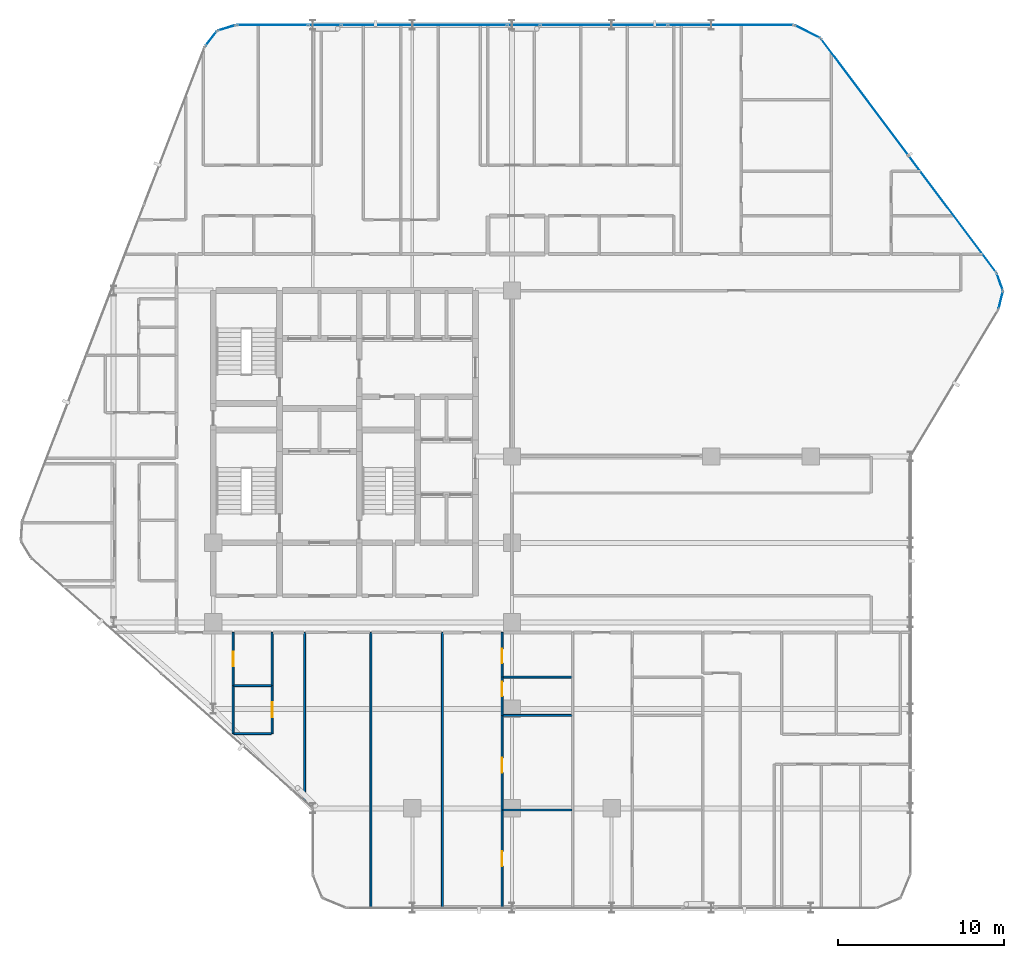
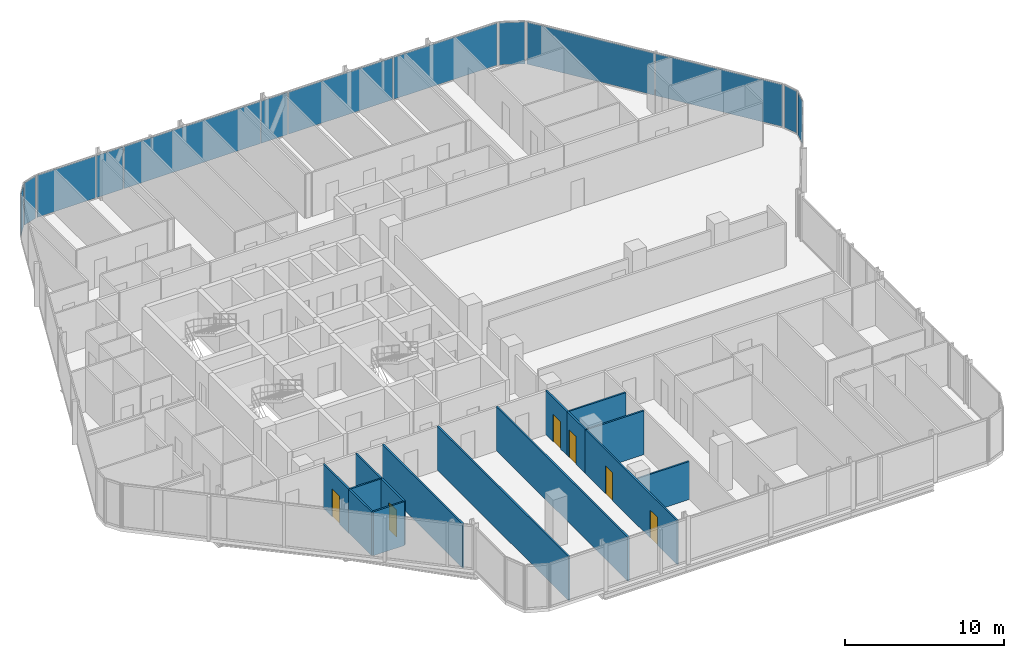
# One storey, part 23 of 30: 15 walls, 13 plates, 6 doors, 6 openings, 11 elements without a shape of their own.
"""IFC4 building model written with IfcOpenShell, lengths in metres."""

import ifcopenshell
import ifcopenshell.guid

model = None  # the IFC model being written
_history = None  # IfcOwnerHistory: only IFC2X3 demands one
_inside = {}  # id of a spatial element -> (the spatial element, [elements in it])
_under = {}  # id of a project, library or spatial element -> (it, [spatial elements below it])
_declared = {}  # id of a project -> (the project, [libraries it declares])
_typed = {}  # id of a type object -> (the type object, [elements of that type])
_made_of = {}  # id of a material, layer set ... -> (it, [elements and type objects made of it])


def new_model(schema):
    """Start an empty IFC model of exactly this schema.

    Asked for "IFC4X3", IfcOpenShell would pick the latest addendum, in which some entities
    have other attributes; the version numbers below select the first issue.
    IFC2X3 requires an IfcOwnerHistory on every rooted entity: one is made here for all.
    """
    global model, _history
    if schema == "IFC4X3":
        model = ifcopenshell.file(schema_version=(4, 3, 0, 0))
    else:
        model = ifcopenshell.file(schema=schema)
    _inside.clear()
    _under.clear()
    _declared.clear()
    _typed.clear()
    _made_of.clear()
    _history = None
    if model.schema == "IFC2X3":
        org = make("IfcOrganization", Name="unknown")
        user = make(
            "IfcPersonAndOrganization",
            ThePerson=make("IfcPerson", FamilyName="unknown"),
            TheOrganization=org,
        )
        app = make(
            "IfcApplication",
            ApplicationDeveloper=org,
            Version="unknown",
            ApplicationFullName="unknown",
            ApplicationIdentifier="unknown",
        )
        _history = make(
            "IfcOwnerHistory",
            OwningUser=user,
            OwningApplication=app,
            ChangeAction="ADDED",
            CreationDate=0,
        )
    return model


def make(cls, **values):
    """One entity of the class cls with the attributes given. An attribute that is None is left unset."""
    return model.create_entity(
        cls, **{name: value for name, value in values.items() if value is not None}
    )


def rooted(cls, **values):
    """An entity with a GlobalId (a new one), such as an element, a storey or a relation."""
    return make(cls, GlobalId=ifcopenshell.guid.new(), OwnerHistory=_history, **values)


def si_unit(unit_type, name, prefix=None):
    """IfcSIUnit, for example si_unit("LENGTHUNIT", "METRE", prefix="MILLI")."""
    return make("IfcSIUnit", UnitType=unit_type, Prefix=prefix, Name=name)


def assignment(units):
    """IfcUnitAssignment: the units of a project."""
    return None if units is None else make("IfcUnitAssignment", Units=units)


def point(xyz):
    """IfcCartesianPoint."""
    return None if xyz is None else make("IfcCartesianPoint", Coordinates=xyz)


def direction(xyz):
    """IfcDirection."""
    return None if xyz is None else make("IfcDirection", DirectionRatios=xyz)


def frame(location, z_axis=None, x_axis=None):
    """IfcAxis2Placement3D, a coordinate frame: its origin and axes. An axis left out is left unset."""
    return make(
        "IfcAxis2Placement3D",
        Location=point(location),
        Axis=direction(z_axis),
        RefDirection=direction(x_axis),
    )


def frame_2d(location, x_axis=None):
    """IfcAxis2Placement2D, a coordinate frame in the plane: its origin and x axis."""
    return make(
        "IfcAxis2Placement2D", Location=point(location), RefDirection=direction(x_axis)
    )


def origin():
    """The frame at (0, 0, 0) with its axes left unset."""
    return frame((0.0, 0.0, 0.0))


def origin_2d():
    """The frame at (0, 0) in the plane with its x axis left unset."""
    return frame_2d((0.0, 0.0))


def place(relative_to, where):
    """IfcLocalPlacement: puts the frame where relative to a parent placement (None: the world)."""
    return make(
        "IfcLocalPlacement", PlacementRelTo=relative_to, RelativePlacement=where
    )


def context(
    kind, dimensions, precision=None, world=None, true_north=None, identifier=None
):
    """IfcGeometricRepresentationContext, for example the 3D "Model" context."""
    return make(
        "IfcGeometricRepresentationContext",
        ContextIdentifier=identifier,
        ContextType=kind,
        CoordinateSpaceDimension=dimensions,
        Precision=precision,
        WorldCoordinateSystem=world,
        TrueNorth=true_north,
    )


def subcontext(parent, identifier, kind, view, scale=None):
    """IfcGeometricRepresentationSubContext, for example "Body" below "Model"."""
    return make(
        "IfcGeometricRepresentationSubContext",
        ContextIdentifier=identifier,
        ContextType=kind,
        ParentContext=parent,
        TargetScale=scale,
        TargetView=view,
    )


def project(units=None, contexts=None):
    """IfcProject with its units and contexts."""
    return rooted(
        "IfcProject",
        Name="project",
        RepresentationContexts=contexts,
        UnitsInContext=assignment(units),
    )


def spatial(cls, under=None, at=None, **own):
    """A site, building, storey or space (cls), placed at a placement, below another one or the project."""
    s = rooted(cls, ObjectPlacement=at, **own)
    if under is not None:
        _under.setdefault(under.id(), (under, []))[1].append(s)
    return s


def profile(cls, at=None, kind="AREA", **sizes):
    """A parametric profile (cls). Its sizes go by their IFC names, for example OverallWidth=200.0."""
    return make(cls, ProfileType=kind, Position=at, **sizes)


def rectangle(**sizes):
    """IfcRectangleProfileDef."""
    return profile("IfcRectangleProfileDef", **sizes)


def extrude(swept, where, along, depth):
    """IfcExtrudedAreaSolid: the profile swept, set in the frame where, extruded along a direction by depth."""
    return make(
        "IfcExtrudedAreaSolid",
        SweptArea=swept,
        Position=where,
        ExtrudedDirection=direction(along),
        Depth=depth,
    )


def shape(context_of_items, identifier, shape_type, items):
    """IfcShapeRepresentation: the items that make up one representation, for example the "Body"."""
    return make(
        "IfcShapeRepresentation",
        ContextOfItems=context_of_items,
        RepresentationIdentifier=identifier,
        RepresentationType=shape_type,
        Items=items,
    )


def material(Name=None, Category=None):
    """IfcMaterial."""
    return make("IfcMaterial", Name=Name, Category=Category)


def layer(
    of_material, thickness, ventilated=None, Name=None, Category=None, Priority=None
):
    """IfcMaterialLayer: one layer of a wall or slab, of a material (None: an air gap)."""
    return make(
        "IfcMaterialLayer",
        Material=of_material,
        LayerThickness=thickness,
        IsVentilated=ventilated,
        Name=Name,
        Category=Category,
        Priority=Priority,
    )


def layer_set(layers, Name=None):
    """IfcMaterialLayerSet."""
    return make("IfcMaterialLayerSet", MaterialLayers=layers, LayerSetName=Name)


def made_of(thing, what):
    """Note that an element or type object is made of a material, layer set ...; save() writes the relation."""
    if what is not None:
        _made_of.setdefault(what.id(), (what, []))[1].append(thing)
    return thing


def type_object(cls, material=None, **own):
    """A type object (cls), such as IfcWallType, which elements share."""
    return made_of(rooted(cls, **own), material)


def element(
    cls,
    number,
    at=None,
    inside=None,
    cuts=None,
    type_object=None,
    material=None,
    context=None,
    identifier="Body",
    shape_type=None,
    held_by="IfcProductDefinitionShape",
    body=None,
    shapes=None,
    **own,
):
    """One element of the class cls, such as IfcWall. Its Tag is "e" and its number.

    at: its placement. inside: the storey or other place that contains it. cuts: it is an
    opening in that element (IfcRelVoidsElement). A single representation is given by context,
    identifier, shape_type and body (its items); several are given by shapes. held_by: the class
    of the entity that holds the representations. save() writes the other relations.
    """
    e = rooted(cls, Tag="e%d" % number, ObjectPlacement=at, **own)
    if body is not None:
        shapes = [shape(context, identifier, shape_type, body)]
    if shapes is not None:
        e.Representation = make(held_by, Representations=shapes)
    if inside is not None:
        _inside.setdefault(inside.id(), (inside, []))[1].append(e)
    if cuts is not None:
        rooted(
            "IfcRelVoidsElement", RelatingBuildingElement=cuts, RelatedOpeningElement=e
        )
    if type_object is not None:
        _typed.setdefault(type_object.id(), (type_object, []))[1].append(e)
    return made_of(e, material)


def fill(opening, filler):
    """IfcRelFillsElement: the door or window that sits in an opening."""
    return rooted(
        "IfcRelFillsElement",
        RelatingOpeningElement=opening,
        RelatedBuildingElement=filler,
    )


def aggregate(whole, parts):
    """IfcRelAggregates: a whole, such as a stair, and the parts it consists of."""
    return rooted("IfcRelAggregates", RelatingObject=whole, RelatedObjects=parts)


def save(model, path):
    """Write the relations noted so far, then the file.

    IfcRelAggregates (storeys below a building ...), IfcRelContainedInSpatialStructure (elements
    in a storey), IfcRelDefinesByType, IfcRelAssociatesMaterial and IfcRelDeclares: one each for
    every whole, place, type object, material and project.
    """
    for whole, parts in _under.values():
        aggregate(whole, parts)
    for where, things in _inside.values():
        rooted(
            "IfcRelContainedInSpatialStructure",
            RelatedElements=things,
            RelatingStructure=where,
        )
    for kind, things in _typed.values():
        rooted("IfcRelDefinesByType", RelatedObjects=things, RelatingType=kind)
    for what, things in _made_of.values():
        rooted("IfcRelAssociatesMaterial", RelatedObjects=things, RelatingMaterial=what)
    for by, libraries in _declared.values():
        rooted("IfcRelDeclares", RelatingContext=by, RelatedDefinitions=libraries)
    model.write(path)


model = new_model("IFC4")

# Units and contexts
model_context = context("Model", 3, precision=1e-05, world=origin(), true_north=direction((0.0, 1.0)))
body_context = subcontext(model_context, "Body", "Model", "MODEL_VIEW")
ifc_project = project(units=[si_unit("LENGTHUNIT", "METRE"), si_unit("AREAUNIT", "SQUARE_METRE"), si_unit("VOLUMEUNIT", "CUBIC_METRE"), si_unit("PLANEANGLEUNIT", "RADIAN"), si_unit("MASSUNIT", "GRAM", prefix="KILO")], contexts=[model_context])

# Site, building, storey
site_placement = place(None, origin())
site = spatial("IfcSite", under=ifc_project, at=site_placement, CompositionType="ELEMENT")
building_placement = place(site_placement, origin())
building = spatial("IfcBuilding", under=site, at=building_placement, Name="Keshet Zoharim Tower", CompositionType="ELEMENT")
storey_placement = place(building_placement, frame((0.0, 0.0, 116.800048828125)))
storey = spatial("IfcBuildingStorey", under=building, at=storey_placement, Name="L28", CompositionType="ELEMENT", Elevation=116.800048828125)

# Curtain wall, plate
ifc_material_1 = material(Name="Aluminium 6063-T6", Category="aluminium")
ifc_layer_1 = layer(ifc_material_1, 0.159912109375)
ifc_layer_set_1 = layer_set([ifc_layer_1], Name="Aluminium 6063-T6")
curtain_wall_type = type_object("IfcCurtainWallType", Name="CW-SYS-03", PredefinedType="NOTDEFINED", material=ifc_layer_set_1)
curtain_wall_1_placement = place(storey_placement, origin())
curtain_wall_1 = element("IfcCurtainWall", 1, at=curtain_wall_1_placement, inside=storey, type_object=curtain_wall_type, Name="L28 Unitised Curtain Wall 11", PredefinedType="NOTDEFINED")
ifc_material_2 = material(Name="Insulated Low-E Clear Glass", Category="glass")
ifc_layer_2 = layer(ifc_material_2, 0.035888671875)
ifc_layer_set_2 = layer_set([ifc_layer_2], Name="Insulated Low-E Clear Glass")
plate_type_1 = type_object("IfcPlateType", Name="CWP-01", PredefinedType="CURTAIN_PANEL", material=ifc_layer_set_2)
plate_1_placement = place(storey_placement, frame((14.8740234375, 53.08349609375, 0.06982421875), z_axis=(0.0, 0.0, 1.0), x_axis=(0.619124525989, 0.785292825205, 0.0)))
plate_1 = element("IfcPlate", 2, at=plate_1_placement, type_object=plate_type_1, Name="CW-03 panel 1.1", PredefinedType="CURTAIN_PANEL", context=body_context, shape_type="SweptSolid", body=[
    extrude(rectangle(XDim=1.045654296875, YDim=0.035888671875, at=origin_2d()), origin(), (0.0, 0.0, 1.0), 3.239990234375),
])
aggregate(curtain_wall_1, [plate_1])

curtain_wall_2_placement = place(storey_placement, origin())
curtain_wall_2 = element("IfcCurtainWall", 3, at=curtain_wall_2_placement, inside=storey, type_object=curtain_wall_type, Name="L28 Unitised Curtain Wall 12", PredefinedType="NOTDEFINED")
plate_2_placement = place(storey_placement, frame((15.8076171875, 53.724609375, 0.06982421875), z_axis=(0.0, 0.0, 1.0), x_axis=(0.955212151288, 0.295921857984, 0.0)))
plate_2 = element("IfcPlate", 4, at=plate_2_placement, type_object=plate_type_1, Name="CW-03 panel 1.1", PredefinedType="CURTAIN_PANEL", context=body_context, shape_type="SweptSolid", body=[
    extrude(rectangle(XDim=1.046142578125, YDim=0.035888671875, at=origin_2d()), origin(), (0.0, 0.0, 1.0), 3.239990234375),
])
aggregate(curtain_wall_2, [plate_2])

curtain_wall_3_placement = place(storey_placement, origin())
curtain_wall_3 = element("IfcCurtainWall", 5, at=curtain_wall_3_placement, inside=storey, type_object=curtain_wall_type, Name="L28 Unitised Curtain Wall 13", PredefinedType="NOTDEFINED")
ifc_layer_3 = layer(ifc_material_2, 0.031982421875)
ifc_layer_set_3 = layer_set([ifc_layer_3], Name="Insulated Low-E Clear Glass")
plate_type_2 = type_object("IfcPlateType", Name="CWP-02", PredefinedType="CURTAIN_PANEL", material=ifc_layer_set_3)
plate_3_placement = place(storey_placement, frame((18.56298828125, 53.89990234375, 0.06982421875), z_axis=(0.0, 0.0, 1.0), x_axis=(1.0, 0.0, 0.0)))
plate_3 = element("IfcPlate", 6, at=plate_3_placement, type_object=plate_type_2, Name="CW-03 panel 1.1", PredefinedType="CURTAIN_PANEL", context=body_context, shape_type="SweptSolid", body=[
    extrude(rectangle(XDim=4.238037109375, YDim=0.031982421875, at=origin_2d()), origin(), (0.0, 0.0, 1.0), 3.239990234375),
])
aggregate(curtain_wall_3, [plate_3])

curtain_wall_4_placement = place(storey_placement, origin())
curtain_wall_4 = element("IfcCurtainWall", 7, at=curtain_wall_4_placement, inside=storey, type_object=curtain_wall_type, Name="L28 Unitised Curtain Wall 13 Part 3", PredefinedType="NOTDEFINED")
plate_4_placement = place(storey_placement, frame((27.715087890625, 53.89990234375, 0.06982421875), z_axis=(0.0, 0.0, 1.0), x_axis=(1.0, 0.0, 0.0)))
plate_4 = element("IfcPlate", 8, at=plate_4_placement, type_object=plate_type_2, Name="CW-03 panel 1.1", PredefinedType="CURTAIN_PANEL", context=body_context, shape_type="SweptSolid", body=[
    extrude(rectangle(XDim=9.93408203125, YDim=0.031982421875, at=origin_2d()), origin(), (0.0, 0.0, 1.0), 3.239990234375),
])
aggregate(curtain_wall_4, [plate_4])

# Curtain wall, plates
curtain_wall_5_placement = place(storey_placement, origin())
curtain_wall_5 = element("IfcCurtainWall", 9, at=curtain_wall_5_placement, inside=storey, type_object=curtain_wall_type, Name="L28 Unitised Curtain Wall 13 Part 5", PredefinedType="NOTDEFINED")
plate_5_placement = place(storey_placement, frame((38.54345703125, 53.89990234375, 0.06982421875), z_axis=(0.0, 0.0, 1.0), x_axis=(1.0, 0.0, 0.0)))
plate_5 = element("IfcPlate", 10, at=plate_5_placement, type_object=plate_type_2, Name="CW-03 panel 1.1", PredefinedType="CURTAIN_PANEL", context=body_context, shape_type="SweptSolid", body=[
    extrude(rectangle(XDim=7.591064453125, YDim=0.031982421875, at=origin_2d()), origin(), (0.0, 0.0, 1.0), 3.239990234375),
])
plate_6_placement = place(storey_placement, frame((46.16943359375, 53.89990234375, 0.06982421875), z_axis=(0.0, 0.0, 1.0), x_axis=(1.0, 0.0, 0.0)))
plate_6 = element("IfcPlate", 11, at=plate_6_placement, type_object=plate_type_2, Name="CW-03 panel 2.1", PredefinedType="CURTAIN_PANEL", context=body_context, shape_type="SweptSolid", body=[
    extrude(rectangle(XDim=7.52099609375, YDim=0.031982421875, at=origin_2d()), origin(), (0.0, 0.0, 1.0), 3.239990234375),
])
aggregate(curtain_wall_5, [plate_5, plate_6])

# Curtain wall, plate
curtain_wall_6_placement = place(storey_placement, origin())
curtain_wall_6 = element("IfcCurtainWall", 12, at=curtain_wall_6_placement, inside=storey, type_object=curtain_wall_type, Name="L28 Unitised Curtain Wall 14", PredefinedType="NOTDEFINED")
plate_7_placement = place(storey_placement, frame((50.800048828125, 53.5, 0.06982421875), z_axis=(0.0, 0.0, 1.0), x_axis=(0.894427191001, -0.447213595499, 0.0)))
plate_7 = element("IfcPlate", 13, at=plate_7_placement, type_object=plate_type_2, Name="CW-03 panel 1.1", PredefinedType="CURTAIN_PANEL", context=body_context, shape_type="SweptSolid", body=[
    extrude(rectangle(XDim=1.64892578125, YDim=0.031982421875, at=origin_2d()), origin(), (0.0, 0.0, 1.0), 3.239990234375),
])
aggregate(curtain_wall_6, [plate_7])

# Curtain wall, plates
curtain_wall_7_placement = place(storey_placement, origin())
curtain_wall_7 = element("IfcCurtainWall", 14, at=curtain_wall_7_placement, inside=storey, type_object=curtain_wall_type, Name="L28 Unitised Curtain Wall 15", PredefinedType="NOTDEFINED")
plate_8_placement = place(storey_placement, frame((54.2587890625, 49.554931640625, 0.06982421875), z_axis=(0.0, 0.0, 1.0), x_axis=(0.600000000002, -0.799999999998, 0.0)))
plate_8 = element("IfcPlate", 15, at=plate_8_placement, type_object=plate_type_2, Name="CW-03 panel 1.1", PredefinedType="CURTAIN_PANEL", context=body_context, shape_type="SweptSolid", body=[
    extrude(rectangle(XDim=8.722412109375, YDim=0.031982421875, at=origin_2d()), origin(), (0.0, 0.0, 1.0), 3.239990234375),
])
plate_9_placement = place(storey_placement, frame((59.5341796875, 42.52099609375, 0.06982421875), z_axis=(0.0, 0.0, 1.0), x_axis=(0.600000000002, -0.799999999998, 0.0)))
plate_9 = element("IfcPlate", 16, at=plate_9_placement, type_object=plate_type_2, Name="CW-03 panel 2.1", PredefinedType="CURTAIN_PANEL", context=body_context, shape_type="SweptSolid", body=[
    extrude(rectangle(XDim=8.722412109375, YDim=0.031982421875, at=origin_2d()), origin(), (0.0, 0.0, 1.0), 3.239990234375),
])
aggregate(curtain_wall_7, [plate_8, plate_9])

# Curtain wall, plate
curtain_wall_8_placement = place(storey_placement, origin())
curtain_wall_8 = element("IfcCurtainWall", 17, at=curtain_wall_8_placement, inside=storey, type_object=curtain_wall_type, Name="L28 Unitised Curtain Wall 16", PredefinedType="NOTDEFINED")
plate_10_placement = place(storey_placement, frame((62.3916015625, 38.427490234375, 0.06982421875), z_axis=(0.0, 0.0, 1.0), x_axis=(0.340297354046, -0.940317877544, 0.0)))
plate_10 = element("IfcPlate", 18, at=plate_10_placement, type_object=plate_type_2, Name="CW-03 panel 1.1", PredefinedType="CURTAIN_PANEL", context=body_context, shape_type="SweptSolid", body=[
    extrude(rectangle(XDim=1.026611328125, YDim=0.031982421875, at=origin_2d()), origin(), (0.0, 0.0, 1.0), 3.239990234375),
])
aggregate(curtain_wall_8, [plate_10])

curtain_wall_9_placement = place(storey_placement, origin())
curtain_wall_9 = element("IfcCurtainWall", 19, at=curtain_wall_9_placement, inside=storey, type_object=curtain_wall_type, Name="L28 Unitised Curtain Wall 17", PredefinedType="NOTDEFINED")
plate_11_placement = place(storey_placement, frame((62.448974609375, 37.31298828125, 0.06982421875), z_axis=(0.0, 0.0, 1.0), x_axis=(-0.241728770141, -0.970343857447, 0.0)))
plate_11 = element("IfcPlate", 20, at=plate_11_placement, type_object=plate_type_2, Name="CW-03 panel 1.1", PredefinedType="CURTAIN_PANEL", context=body_context, shape_type="SweptSolid", body=[
    extrude(rectangle(XDim=1.026611328125, YDim=0.031982421875, at=origin_2d()), origin(), (0.0, 0.0, 1.0), 3.239990234375),
])
aggregate(curtain_wall_9, [plate_11])

curtain_wall_10_placement = place(storey_placement, origin())
curtain_wall_10 = element("IfcCurtainWall", 21, at=curtain_wall_10_placement, inside=storey, type_object=curtain_wall_type, Name="L28 Unitised Curtain Wall 13 Part 2", PredefinedType="NOTDEFINED")
ifc_material_3 = material(Name="Insulated Aluminium Spandrel Panel", Category="aluminium")
ifc_layer_4 = layer(ifc_material_3, 0.031982421875)
ifc_layer_set_4 = layer_set([ifc_layer_4], Name="Insulated Aluminium Spandrel Panel")
plate_type_3 = type_object("IfcPlateType", Name="CWP-05", PredefinedType="CURTAIN_PANEL", material=ifc_layer_set_4)
plate_12_placement = place(storey_placement, frame((21.715087890625, 53.89990234375, 0.06982421875), z_axis=(0.0, 0.0, 1.0), x_axis=(1.0, 0.0, 0.0)))
plate_12 = element("IfcPlate", 22, at=plate_12_placement, type_object=plate_type_3, Name="CW-03 spandrel panel 1.1", PredefinedType="CURTAIN_PANEL", context=body_context, shape_type="SweptSolid", body=[
    extrude(rectangle(XDim=1.926025390625, YDim=0.031982421875, at=origin_2d()), origin(), (0.0, 0.0, 1.0), 3.239990234375),
])
aggregate(curtain_wall_10, [plate_12])

curtain_wall_11_placement = place(storey_placement, origin())
curtain_wall_11 = element("IfcCurtainWall", 23, at=curtain_wall_11_placement, inside=storey, type_object=curtain_wall_type, Name="L28 Unitised Curtain Wall 13 Part 4", PredefinedType="NOTDEFINED")
plate_13_placement = place(storey_placement, frame((33.715087890625, 53.89990234375, 0.06982421875), z_axis=(0.0, 0.0, 1.0), x_axis=(1.0, 0.0, 0.0)))
plate_13 = element("IfcPlate", 24, at=plate_13_placement, type_object=plate_type_3, Name="CW-03 spandrel panel 1.1", PredefinedType="CURTAIN_PANEL", context=body_context, shape_type="SweptSolid", body=[
    extrude(rectangle(XDim=1.926025390625, YDim=0.031982421875, at=origin_2d()), origin(), (0.0, 0.0, 1.0), 3.239990234375),
])
aggregate(curtain_wall_11, [plate_13])

# Wall, opening, door
ifc_material_4 = material(Name="Gypsum Plasterboard", Category="gypsum")
ifc_layer_5 = layer(ifc_material_4, 0.1201171875)
ifc_layer_set_5 = layer_set([ifc_layer_5], Name="Gypsum Plasterboard")
wall_type_1 = type_object("IfcWallType", Name="WL-PART-120", PredefinedType="PARTITIONING", material=ifc_layer_set_5)
wall_1_placement = place(storey_placement, frame((16.199951171875, 14.10009765625, 0.0), z_axis=(0.0, 0.0, 1.0), x_axis=(0.0, 1.0, 0.0)))
wall_1 = element("IfcWall", 25, at=wall_1_placement, inside=storey, type_object=wall_type_1, Name="L28 Interior Wall 024", PredefinedType="PARTITIONING", context=body_context, shape_type="SweptSolid", body=[
    extrude(rectangle(XDim=3.199951171875, YDim=0.1201171875, at=frame_2d((1.60009765625, 0.0))), origin(), (0.0, 0.0, 1.0), 3.3798828125),
])
opening_1_placement = place(wall_1_placement, frame((1.14990234375, 0.0, 0.0)))
opening_1 = element("IfcOpeningElement", 26, at=opening_1_placement, cuts=wall_1, Name="Opening D-IN90", PredefinedType="OPENING", context=body_context, shape_type="SweptSolid", body=[
    extrude(rectangle(XDim=0.89990234375, YDim=2.14990234375, at=frame_2d((0.449951171875, 1.074951171875))), frame((0.0, 0.070068359375, 0.0), z_axis=(0.0, -1.0, 0.0), x_axis=(1.0, 0.0, 0.0)), (0.0, 0.0, 1.0), 0.14013671875),
])
ifc_material_5 = material(Name="Hardwood Timber", Category="wood")
door_type_1 = type_object("IfcDoorType", Name="DR-INT-090", OperationType="NOTDEFINED", PredefinedType="DOOR", material=ifc_material_5)
door_1_placement = place(opening_1_placement, origin())
door_1 = element("IfcDoor", 27, at=door_1_placement, inside=storey, type_object=door_type_1, Name="Apartment 2801 Kitchenette Door", OperationType="SINGLE_SWING_RIGHT", OverallHeight=2.14990234375, OverallWidth=0.89990234375, PredefinedType="DOOR", context=body_context, shape_type="SweptSolid", body=[
    extrude(rectangle(XDim=0.89990234375, YDim=2.14990234375, at=frame_2d((0.449951171875, 1.074951171875))), frame((0.0, 0.02490234375, 0.0), z_axis=(0.0, -1.0, 0.0), x_axis=(1.0, 0.0, 0.0)), (0.0, 0.0, 1.0), 0.050048828125),
])
fill(opening_1, door_1)

# Walls
wall_2_placement = place(storey_placement, frame((18.550048828125, 14.10009765625, 0.0), z_axis=(0.0, 0.0, 1.0), x_axis=(0.0, 1.0, 0.0)))
element("IfcWall", 28, at=wall_2_placement, inside=storey, type_object=wall_type_1, Name="L28 Interior Wall 028", PredefinedType="PARTITIONING", context=body_context, shape_type="SweptSolid", body=[
    extrude(rectangle(XDim=3.199951171875, YDim=0.1201171875, at=frame_2d((1.60009765625, 0.0))), origin(), (0.0, 0.0, 1.0), 3.3798828125),
])
wall_3_placement = place(storey_placement, frame((20.5, 7.154052734375, 0.0), z_axis=(0.0, 0.0, 1.0), x_axis=(0.0, 1.0, 0.0)))
element("IfcWall", 29, at=wall_3_placement, inside=storey, type_object=wall_type_1, Name="L28 Interior Wall 034", PredefinedType="PARTITIONING", context=body_context, shape_type="SweptSolid", body=[
    extrude(rectangle(XDim=10.14599609375, YDim=0.1201171875, at=frame_2d((5.072998046875, 0.0))), origin(), (0.0, 0.0, 1.0), 3.3798828125),
])
for number, where, z_axis, x_axis, name in (
    (30, (24.5, 0.7099609375, 0.0), (0.0, 0.0, 1.0), (0.0, 1.0, 0.0), "L28 Interior Wall 048"),
    (31, (28.800048828125, 0.7099609375, 0.0), (0.0, 0.0, 1.0), (0.0, 1.0, 0.0), "L28 Interior Wall 059"),
):
    element("IfcWall", number, at=place(storey_placement, frame(where, z_axis=z_axis, x_axis=x_axis)), inside=storey, type_object=wall_type_1, Name=name, PredefinedType="PARTITIONING", context=body_context, shape_type="SweptSolid", body=[
        extrude(rectangle(XDim=16.590087890625, YDim=0.1201171875, at=frame_2d((8.294921875, 0.0))), origin(), (0.0, 0.0, 1.0), 3.3798828125),
    ])

# Wall, openings, doors
wall_4_placement = place(storey_placement, frame((32.39990234375, 0.7099609375, 0.0), z_axis=(0.0, 0.0, 1.0), x_axis=(0.0, 1.0, 0.0)))
wall_4 = element("IfcWall", 32, at=wall_4_placement, inside=storey, type_object=wall_type_1, Name="L28 Interior Wall 072", PredefinedType="PARTITIONING", context=body_context, shape_type="SweptSolid", body=[
    extrude(rectangle(XDim=11.590087890625, YDim=0.1201171875, at=frame_2d((5.794921875, 0.0))), origin(), (0.0, 0.0, 1.0), 3.3798828125),
])
opening_2_placement = place(wall_4_placement, frame((2.489990234375, 0.0, 0.0)))
opening_2 = element("IfcOpeningElement", 33, at=opening_2_placement, cuts=wall_4, Name="Opening D-IN90", PredefinedType="OPENING", context=body_context, shape_type="SweptSolid", body=[
    extrude(rectangle(XDim=0.89990234375, YDim=2.14990234375, at=frame_2d((0.449951171875, 1.074951171875))), frame((0.0, 0.070068359375, 0.0), z_axis=(0.0, -1.0, 0.0), x_axis=(1.0, 0.0, 0.0)), (0.0, 0.0, 1.0), 0.14013671875),
])
opening_3_placement = place(wall_4_placement, frame((8.133056640625, 0.0, 0.0)))
opening_3 = element("IfcOpeningElement", 34, at=opening_3_placement, cuts=wall_4, Name="Opening D-IN90", PredefinedType="OPENING", context=body_context, shape_type="SweptSolid", body=[
    extrude(rectangle(XDim=0.89990234375, YDim=2.14990234375, at=frame_2d((0.449951171875, 1.074951171875))), frame((0.0, 0.070068359375, 0.0), z_axis=(0.0, -1.0, 0.0), x_axis=(1.0, 0.0, 0.0)), (0.0, 0.0, 1.0), 0.14013671875),
])
door_2_placement = place(opening_2_placement, origin())
door_2 = element("IfcDoor", 35, at=door_2_placement, inside=storey, type_object=door_type_1, Name="Apartment 2802 Bedroom 1 Door", OperationType="SINGLE_SWING_RIGHT", OverallHeight=2.14990234375, OverallWidth=0.89990234375, PredefinedType="DOOR", context=body_context, shape_type="SweptSolid", body=[
    extrude(rectangle(XDim=0.89990234375, YDim=2.14990234375, at=frame_2d((0.449951171875, 1.074951171875))), frame((0.0, 0.02490234375, 0.0), z_axis=(0.0, -1.0, 0.0), x_axis=(1.0, 0.0, 0.0)), (0.0, 0.0, 1.0), 0.050048828125),
])
fill(opening_2, door_2)
door_3_placement = place(opening_3_placement, origin())
door_3 = element("IfcDoor", 36, at=door_3_placement, inside=storey, type_object=door_type_1, Name="Apartment 2802 Bedroom 2 Door", OperationType="SINGLE_SWING_LEFT", OverallHeight=2.14990234375, OverallWidth=0.89990234375, PredefinedType="DOOR", context=body_context, shape_type="SweptSolid", body=[
    extrude(rectangle(XDim=0.89990234375, YDim=2.14990234375, at=frame_2d((0.449951171875, 1.074951171875))), frame((0.0, 0.02490234375, 0.0), z_axis=(0.0, -1.0, 0.0), x_axis=(1.0, 0.0, 0.0)), (0.0, 0.0, 1.0), 0.050048828125),
])
fill(opening_3, door_3)

# Wall, opening, door
wall_5_placement = place(storey_placement, frame((32.39990234375, 12.300048828125, 0.0), z_axis=(0.0, 0.0, 1.0), x_axis=(0.0, 1.0, 0.0)))
wall_5 = element("IfcWall", 37, at=wall_5_placement, inside=storey, type_object=wall_type_1, Name="L28 Interior Wall 073", PredefinedType="PARTITIONING", context=body_context, shape_type="SweptSolid", body=[
    extrude(rectangle(XDim=2.300048828125, YDim=0.1201171875, at=frame_2d((1.14990234375, 0.0))), origin(), (0.0, 0.0, 1.0), 3.3798828125),
])
opening_4_placement = place(wall_5_placement, frame((1.14208984375, 0.0, 0.0)))
opening_4 = element("IfcOpeningElement", 38, at=opening_4_placement, cuts=wall_5, Name="Opening D-IN90", PredefinedType="OPENING", context=body_context, shape_type="SweptSolid", body=[
    extrude(rectangle(XDim=0.89990234375, YDim=2.14990234375, at=frame_2d((0.449951171875, 1.074951171875))), frame((0.0, 0.070068359375, 0.0), z_axis=(0.0, -1.0, 0.0), x_axis=(1.0, 0.0, 0.0)), (0.0, 0.0, 1.0), 0.14013671875),
])
door_4_placement = place(opening_4_placement, origin())
door_4 = element("IfcDoor", 39, at=door_4_placement, inside=storey, type_object=door_type_1, Name="Apartment 2802 Kitchen Door", OperationType="SINGLE_SWING_RIGHT", OverallHeight=2.14990234375, OverallWidth=0.89990234375, PredefinedType="DOOR", context=body_context, shape_type="SweptSolid", body=[
    extrude(rectangle(XDim=0.89990234375, YDim=2.14990234375, at=frame_2d((0.449951171875, 1.074951171875))), frame((0.0, 0.02490234375, 0.0), z_axis=(0.0, -1.0, 0.0), x_axis=(1.0, 0.0, 0.0)), (0.0, 0.0, 1.0), 0.050048828125),
])
fill(opening_4, door_4)

# Walls
wall_6_placement = place(storey_placement, frame((32.445068359375, 6.60009765625, 0.0), z_axis=(0.0, 0.0, 1.0), x_axis=(1.0, 0.0, 0.0)))
element("IfcWall", 40, at=wall_6_placement, inside=storey, type_object=wall_type_1, Name="L28 Interior Wall 113", PredefinedType="PARTITIONING", context=body_context, shape_type="SweptSolid", body=[
    extrude(rectangle(XDim=4.159912109375, YDim=0.1201171875, at=frame_2d((2.080078125, 0.0))), origin(), (0.0, 0.0, 1.0), 2.929931640625),
])
wall_7_placement = place(storey_placement, frame((32.445068359375, 12.300048828125, 0.0), z_axis=(0.0, 0.0, 1.0), x_axis=(1.0, 0.0, 0.0)))
element("IfcWall", 41, at=wall_7_placement, inside=storey, type_object=wall_type_1, Name="L28 Interior Wall 120", PredefinedType="PARTITIONING", context=body_context, shape_type="SweptSolid", body=[
    extrude(rectangle(XDim=4.159912109375, YDim=0.1201171875, at=frame_2d((2.080078125, 0.0))), origin(), (0.0, 0.0, 1.0), 3.3798828125),
])
ifc_layer_6 = layer(ifc_material_4, 0.1201171875)
ifc_layer_set_6 = layer_set([ifc_layer_6], Name="Gypsum Plasterboard")
wall_type_2 = type_object("IfcWallType", Name="WL-WET-120", PredefinedType="PARTITIONING", material=ifc_layer_set_6)
wall_8_placement = place(storey_placement, frame((16.199951171875, 11.199951171875, 0.0), z_axis=(0.0, 0.0, 1.0), x_axis=(0.0, 1.0, 0.0)))
element("IfcWall", 42, at=wall_8_placement, inside=storey, type_object=wall_type_2, Name="L28 Interior Wall 023", PredefinedType="PARTITIONING", context=body_context, shape_type="SweptSolid", body=[
    extrude(rectangle(XDim=2.900146484375, YDim=0.1201171875, at=frame_2d((1.4501953125, 0.0))), origin(), (0.0, 0.0, 1.0), 3.3798828125),
])

# Wall, opening, door
wall_9_placement = place(storey_placement, frame((18.550048828125, 11.199951171875, 0.0), z_axis=(0.0, 0.0, 1.0), x_axis=(0.0, 1.0, 0.0)))
wall_9 = element("IfcWall", 43, at=wall_9_placement, inside=storey, type_object=wall_type_2, Name="L28 Interior Wall 027", PredefinedType="PARTITIONING", context=body_context, shape_type="SweptSolid", body=[
    extrude(rectangle(XDim=2.900146484375, YDim=0.1201171875, at=frame_2d((1.4501953125, 0.0))), origin(), (0.0, 0.0, 1.0), 3.3798828125),
])
opening_5_placement = place(wall_9_placement, frame((1.0, 0.0, 0.0)))
opening_5 = element("IfcOpeningElement", 44, at=opening_5_placement, cuts=wall_9, Name="Opening D-WT90", PredefinedType="OPENING", context=body_context, shape_type="SweptSolid", body=[
    extrude(rectangle(XDim=0.89990234375, YDim=2.10009765625, at=frame_2d((0.449951171875, 1.050048828125))), frame((0.0, 0.070068359375, 0.0), z_axis=(0.0, -1.0, 0.0), x_axis=(1.0, 0.0, 0.0)), (0.0, 0.0, 1.0), 0.14013671875),
])
door_type_2 = type_object("IfcDoorType", Name="DR-WET-090", OperationType="NOTDEFINED", PredefinedType="DOOR", material=ifc_material_5)
door_5_placement = place(opening_5_placement, origin())
door_5 = element("IfcDoor", 45, at=door_5_placement, inside=storey, type_object=door_type_2, Name="Apartment 2801 Bathroom Door", OperationType="SINGLE_SWING_LEFT", OverallHeight=2.10009765625, OverallWidth=0.89990234375, PredefinedType="DOOR", context=body_context, shape_type="SweptSolid", body=[
    extrude(rectangle(XDim=0.89990234375, YDim=2.10009765625, at=frame_2d((0.449951171875, 1.050048828125))), frame((0.0, 0.02490234375, 0.0), z_axis=(0.0, -1.0, 0.0), x_axis=(1.0, 0.0, 0.0)), (0.0, 0.0, 1.0), 0.050048828125),
])
fill(opening_5, door_5)

wall_10_placement = place(storey_placement, frame((32.39990234375, 14.60009765625, 0.0), z_axis=(0.0, 0.0, 1.0), x_axis=(0.0, 1.0, 0.0)))
wall_10 = element("IfcWall", 46, at=wall_10_placement, inside=storey, type_object=wall_type_2, Name="L28 Interior Wall 074", PredefinedType="PARTITIONING", context=body_context, shape_type="SweptSolid", body=[
    extrude(rectangle(XDim=2.699951171875, YDim=0.1201171875, at=frame_2d((1.35009765625, 0.0))), origin(), (0.0, 0.0, 1.0), 3.3798828125),
])
opening_6_placement = place(wall_10_placement, frame((0.827880859375, 0.0, 0.0)))
opening_6 = element("IfcOpeningElement", 47, at=opening_6_placement, cuts=wall_10, Name="Opening D-WT90", PredefinedType="OPENING", context=body_context, shape_type="SweptSolid", body=[
    extrude(rectangle(XDim=0.89990234375, YDim=2.10009765625, at=frame_2d((0.449951171875, 1.050048828125))), frame((0.0, 0.070068359375, 0.0), z_axis=(0.0, -1.0, 0.0), x_axis=(1.0, 0.0, 0.0)), (0.0, 0.0, 1.0), 0.14013671875),
])
door_6_placement = place(opening_6_placement, origin())
door_6 = element("IfcDoor", 48, at=door_6_placement, inside=storey, type_object=door_type_2, Name="Apartment 2802 Bathroom Door", OperationType="SINGLE_SWING_LEFT", OverallHeight=2.10009765625, OverallWidth=0.89990234375, PredefinedType="DOOR", context=body_context, shape_type="SweptSolid", body=[
    extrude(rectangle(XDim=0.89990234375, YDim=2.10009765625, at=frame_2d((0.449951171875, 1.050048828125))), frame((0.0, 0.02490234375, 0.0), z_axis=(0.0, -1.0, 0.0), x_axis=(1.0, 0.0, 0.0)), (0.0, 0.0, 1.0), 0.050048828125),
])
fill(opening_6, door_6)

# Walls
for number, where, z_axis, x_axis, name in (
    (49, (16.2451171875, 11.199951171875, 0.0), (0.0, 0.0, 1.0), (1.0, 0.0, 0.0), "L28 Interior Wall 119"),
    (50, (16.2451171875, 14.10009765625, 0.0), (0.0, 0.0, 1.0), (1.0, 0.0, 0.0), "L28 Interior Wall 122"),
):
    element("IfcWall", number, at=place(storey_placement, frame(where, z_axis=z_axis, x_axis=x_axis)), inside=storey, type_object=wall_type_2, Name=name, PredefinedType="PARTITIONING", context=body_context, shape_type="SweptSolid", body=[
        extrude(rectangle(XDim=2.259765625, YDim=0.1201171875, at=frame_2d((1.1298828125, 0.0))), origin(), (0.0, 0.0, 1.0), 3.3798828125),
    ])
wall_11_placement = place(storey_placement, frame((32.445068359375, 14.60009765625, 0.0), z_axis=(0.0, 0.0, 1.0), x_axis=(1.0, 0.0, 0.0)))
element("IfcWall", 51, at=wall_11_placement, inside=storey, type_object=wall_type_2, Name="L28 Interior Wall 123", PredefinedType="PARTITIONING", context=body_context, shape_type="SweptSolid", body=[
    extrude(rectangle(XDim=4.159912109375, YDim=0.1201171875, at=frame_2d((2.080078125, 0.0))), origin(), (0.0, 0.0, 1.0), 3.3798828125),
])

save(model, "model.ifc")
